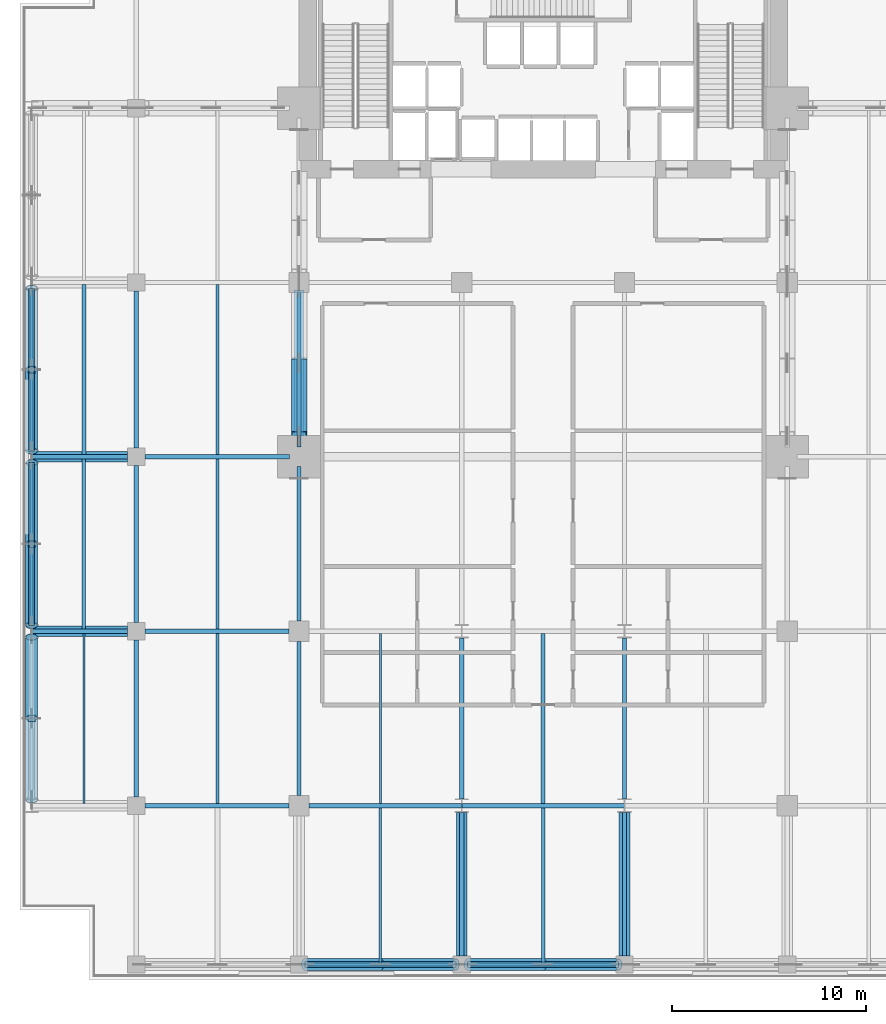
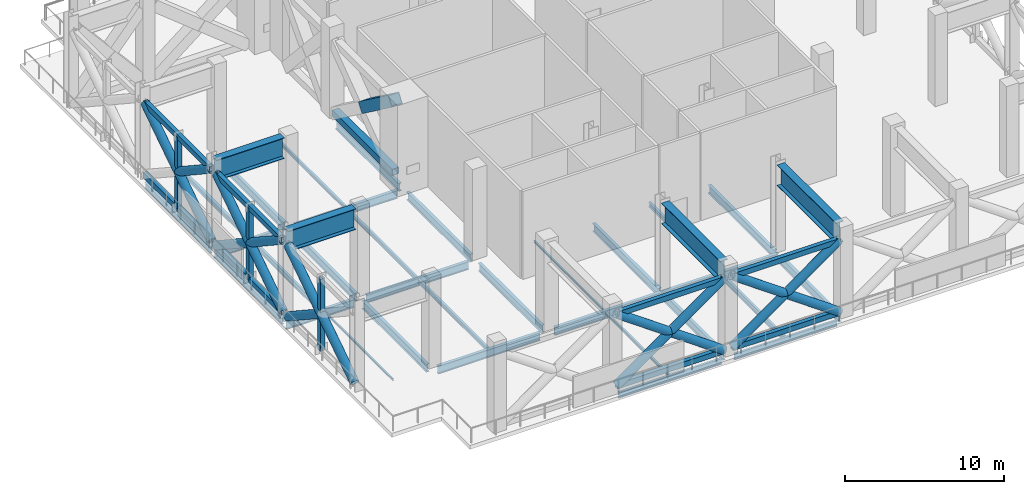
# One storey, part 2 of 16: 35 beams, 26 members.
"""IFC4 building model written with IfcOpenShell, lengths in metres."""

from ifc_helpers import new_model, si_unit, direction, frame, origin, origin_2d, place, context, subcontext, project, spatial, hollow_rectangle, hollow_circle, i_section, extrude, material, material_profile, profile_set, type_object, element, save


model = new_model("IFC4")

# Units and contexts
model_context = context("Model", 3, precision=1e-05, world=origin(), true_north=direction((0.0, 1.0)))
body_context = subcontext(model_context, "Body", "Model", "MODEL_VIEW")
ifc_project = project(units=[si_unit("LENGTHUNIT", "METRE"), si_unit("AREAUNIT", "SQUARE_METRE"), si_unit("VOLUMEUNIT", "CUBIC_METRE"), si_unit("PLANEANGLEUNIT", "RADIAN"), si_unit("MASSUNIT", "GRAM", prefix="KILO")], contexts=[model_context])

# Site, building, storey
site_placement = place(None, origin())
site = spatial("IfcSite", under=ifc_project, at=site_placement, CompositionType="ELEMENT")
building_placement = place(site_placement, origin())
building = spatial("IfcBuilding", under=site, at=building_placement, Name="Maruvema Waterfront Hotel and Observation Tower", CompositionType="ELEMENT")
storey_placement = place(building_placement, frame((0.0, 0.0, 115.5)))
storey = spatial("IfcBuildingStorey", under=building, at=storey_placement, Name="L28", CompositionType="ELEMENT", Elevation=115.5)

# Members
ifc_material_1 = material(Name="Steel ABNT NBR 7007 AR 415 (ASTM A572 Grade 50)", Category="steel")
ifc_material_profile_1 = material_profile(ifc_material_1, hollow_rectangle(XDim=0.5, YDim=0.5, WallThickness=0.028076171875, at=origin_2d()), Name="SHS500x500x28.0")
ifc_profile_set_1 = profile_set([ifc_material_profile_1], Name="Steel ABNT NBR 7007 AR 415 (ASTM A572 Grade 50)")
member_type_1 = type_object("IfcMemberType", Name="Outrigger Truss Chord SHS500x500x28.0", PredefinedType="CHORD", material=ifc_profile_set_1)
member_1_placement = place(storey_placement, frame((25.199951171875, 28.080078125, 0.25), z_axis=(0.0, 1.0, 0.0), x_axis=(-1.0, 0.0, 0.0)))
element("IfcMember", 1, at=member_1_placement, inside=storey, type_object=member_type_1, Name="L28 Outrigger Truss Bottom Chord W1", PredefinedType="CHORD", context=body_context, shape_type="SweptSolid", body=[
    extrude(hollow_rectangle(XDim=0.5, YDim=0.5, WallThickness=0.028076171875, at=origin_2d()), origin(), (0.0, 0.0, 1.0), 7.52001953125),
])
ifc_material_2 = material(Name="Steel ABNT NBR 7007 AR 415 (ASTM A572 Grade 50)", Category="steel")
ifc_material_profile_2 = material_profile(ifc_material_2, hollow_rectangle(XDim=0.800048828125, YDim=0.800048828125, WallThickness=0.044921875, at=origin_2d()), Name="SHS800x800x45.0")
ifc_profile_set_2 = profile_set([ifc_material_profile_2], Name="Steel ABNT NBR 7007 AR 415 (ASTM A572 Grade 50)")
member_type_2 = type_object("IfcMemberType", Name="Outrigger Truss Diagonal SHS800x800x45.0", PredefinedType="BRACE", material=ifc_profile_set_2)
member_2_placement = place(storey_placement, frame((25.199951171875, 31.823974609375, 3.02685546875), z_axis=(0.0, -0.805619301905, 0.592433574671), x_axis=(1.0, 0.0, 0.0)))
element("IfcMember", 2, at=member_2_placement, inside=storey, type_object=member_type_2, Name="L28 Outrigger Truss Diagonal W1 Split Upper B2", PredefinedType="BRACE", context=body_context, shape_type="SweptSolid", body=[
    extrude(hollow_rectangle(XDim=0.800048828125, YDim=0.800048828125, WallThickness=0.044921875, at=origin_2d()), origin(), (0.0, 0.0, 1.0), 4.647216796875),
])
ifc_material_3 = material(Name="Steel ABNT NBR 7007 AR 415 (ASTM A572 Grade 50)", Category="steel")
ifc_material_profile_3 = material_profile(ifc_material_3, hollow_rectangle(XDim=0.300048828125, YDim=0.39990234375, WallThickness=0.02001953125, at=origin_2d()), Name="RHS400x300x20.0")
ifc_profile_set_3 = profile_set([ifc_material_profile_3], Name="Steel ABNT NBR 7007 AR 415 (ASTM A572 Grade 50)")
member_type_3 = type_object("IfcMemberType", Name="Perimeter Belt Truss Chord RHS400x300x20.0", PredefinedType="CHORD", material=ifc_profile_set_3)
for number, where, z_axis, x_axis, name in (
    (3, (11.39990234375, 18.300048828125, 0.25), (0.0, 1.0, 0.0), (-1.0, 0.0, 0.0), "L28 Perimeter Belt Truss Chord W2"),
    (4, (11.39990234375, 18.300048828125, 5.780029296875), (0.0, 1.0, 0.0), (-1.0, 0.0, 0.0), "L28 Perimeter Belt Truss Top Chord W2"),
    (5, (11.39990234375, 27.300048828125, 0.25), (0.0, 1.0, 0.0), (-1.0, 0.0, 0.0), "L28 Perimeter Belt Truss Chord W3"),
    (6, (11.39990234375, 27.300048828125, 5.780029296875), (0.0, 1.0, 0.0), (-1.0, 0.0, 0.0), "L28 Perimeter Belt Truss Top Chord W3"),
):
    element("IfcMember", number, at=place(storey_placement, frame(where, z_axis=z_axis, x_axis=x_axis)), inside=storey, type_object=member_type_3, Name=name, PredefinedType="CHORD", context=body_context, shape_type="SweptSolid", body=[
        extrude(hollow_rectangle(XDim=0.300048828125, YDim=0.39990234375, WallThickness=0.02001953125, at=origin_2d()), origin(), (0.0, 0.0, 1.0), 8.39990234375),
    ])
for number, where, z_axis, x_axis, name in (
    (7, (25.5, 0.800048828125, 0.25), (1.0, 0.0, 0.0), (0.0, 1.0, 0.0), "L28 South Perimeter Belt Truss Chord 2"),
    (8, (25.5, 0.800048828125, 5.780029296875), (1.0, 0.0, 0.0), (0.0, 1.0, 0.0), "L28 South Perimeter Belt Truss Top Chord 2"),
    (9, (33.89990234375, 0.800048828125, 0.25), (1.0, 0.0, 0.0), (0.0, 1.0, 0.0), "L28 South Perimeter Belt Truss Chord 3"),
    (10, (33.89990234375, 0.800048828125, 5.780029296875), (1.0, 0.0, 0.0), (0.0, 1.0, 0.0), "L28 South Perimeter Belt Truss Top Chord 3"),
):
    element("IfcMember", number, at=place(storey_placement, frame(where, z_axis=z_axis, x_axis=x_axis)), inside=storey, type_object=member_type_3, Name=name, PredefinedType="CHORD", context=body_context, shape_type="SweptSolid", body=[
        extrude(hollow_rectangle(XDim=0.300048828125, YDim=0.39990234375, WallThickness=0.02001953125, at=origin_2d()), origin(), (0.0, 0.0, 1.0), 7.800048828125),
    ])
ifc_material_4 = material(Name="Steel ABNT NBR 7007 AR 350 (ASTM A572 Grade 50)", Category="steel")
ifc_material_profile_4 = material_profile(ifc_material_4, hollow_circle(Radius=0.304931640625, WallThickness=0.02490234375, at=origin_2d()), Name="CHS610.0x25.0")
ifc_profile_set_4 = profile_set([ifc_material_profile_4], Name="Steel ABNT NBR 7007 AR 350 (ASTM A572 Grade 50)")
member_type_4 = type_object("IfcMemberType", Name="Perimeter Belt Truss Diagonal CHS610.0x25.0", PredefinedType="BRACE", material=ifc_profile_set_4)
member_3_placement = place(storey_placement, frame((11.39990234375, 9.300048828125, 0.25), z_axis=(0.0, 0.835244562072, 0.549878642547), x_axis=(-1.0, 0.0, 0.0)))
element("IfcMember", 11, at=member_3_placement, inside=storey, type_object=member_type_4, Name="L28 Perimeter Belt Truss Diagonal W1 Continuous A", PredefinedType="BRACE", context=body_context, shape_type="SweptSolid", body=[
    extrude(hollow_circle(Radius=0.304931640625, WallThickness=0.02490234375, at=origin_2d()), origin(), (0.0, 0.0, 1.0), 10.056884765625),
])
member_4_placement = place(storey_placement, frame((11.39990234375, 17.699951171875, 0.25), z_axis=(0.0, -0.835260962729, 0.549853729769), x_axis=(1.0, 0.0, 0.0)))
element("IfcMember", 12, at=member_4_placement, inside=storey, type_object=member_type_4, Name="L28 Perimeter Belt Truss Diagonal W1 Split Lower B1", PredefinedType="BRACE", context=body_context, shape_type="SweptSolid", body=[
    extrude(hollow_circle(Radius=0.304931640625, WallThickness=0.02490234375, at=origin_2d()), origin(), (0.0, 0.0, 1.0), 5.008544921875),
])
member_5_placement = place(storey_placement, frame((11.39990234375, 18.300048828125, 0.25), z_axis=(0.0, 0.835244562072, 0.549878642547), x_axis=(-1.0, 0.0, 0.0)))
element("IfcMember", 13, at=member_5_placement, inside=storey, type_object=member_type_4, Name="L28 Perimeter Belt Truss Diagonal W2 Continuous A", PredefinedType="BRACE", context=body_context, shape_type="SweptSolid", body=[
    extrude(hollow_circle(Radius=0.304931640625, WallThickness=0.02490234375, at=origin_2d()), origin(), (0.0, 0.0, 1.0), 10.056884765625),
])
for number, where, z_axis, x_axis, name in (
    (14, (11.39990234375, 26.699951171875, 0.25), (0.0, -0.835260962729, 0.549853729769), (1.0, 0.0, 0.0), "L28 Perimeter Belt Truss Diagonal W2 Split Lower B1"),
    (15, (11.39990234375, 22.4833984375, 3.02587890625), (0.0, -0.835238575042, 0.549887736507), (1.0, 0.0, 0.0), "L28 Perimeter Belt Truss Diagonal W2 Split Upper B2"),
):
    element("IfcMember", number, at=place(storey_placement, frame(where, z_axis=z_axis, x_axis=x_axis)), inside=storey, type_object=member_type_4, Name=name, PredefinedType="BRACE", context=body_context, shape_type="SweptSolid", body=[
        extrude(hollow_circle(Radius=0.304931640625, WallThickness=0.02490234375, at=origin_2d()), origin(), (0.0, 0.0, 1.0), 5.008544921875),
    ])
member_6_placement = place(storey_placement, frame((11.39990234375, 27.300048828125, 0.25), z_axis=(0.0, 0.835244562072, 0.549878642547), x_axis=(-1.0, 0.0, 0.0)))
element("IfcMember", 16, at=member_6_placement, inside=storey, type_object=member_type_4, Name="L28 Perimeter Belt Truss Diagonal W3 Continuous A", PredefinedType="BRACE", context=body_context, shape_type="SweptSolid", body=[
    extrude(hollow_circle(Radius=0.304931640625, WallThickness=0.02490234375, at=origin_2d()), origin(), (0.0, 0.0, 1.0), 10.056884765625),
])
member_7_placement = place(storey_placement, frame((11.39990234375, 31.4833984375, 3.02587890625), z_axis=(0.0, -0.835238575042, 0.549887736507), x_axis=(1.0, 0.0, 0.0)))
element("IfcMember", 17, at=member_7_placement, inside=storey, type_object=member_type_4, Name="L28 Perimeter Belt Truss Diagonal W3 Split Upper B2", PredefinedType="BRACE", context=body_context, shape_type="SweptSolid", body=[
    extrude(hollow_circle(Radius=0.304931640625, WallThickness=0.02490234375, at=origin_2d()), origin(), (0.0, 0.0, 1.0), 5.008544921875),
])
member_8_placement = place(storey_placement, frame((25.5, 0.800048828125, 0.25), z_axis=(0.815778013583, 0.0, 0.578365137741), x_axis=(0.0, 1.0, 0.0)))
element("IfcMember", 18, at=member_8_placement, inside=storey, type_object=member_type_4, Name="L28 South Perimeter Belt Truss Diagonal 2 Continuous A", PredefinedType="BRACE", context=body_context, shape_type="SweptSolid", body=[
    extrude(hollow_circle(Radius=0.304931640625, WallThickness=0.02490234375, at=origin_2d()), origin(), (0.0, 0.0, 1.0), 9.5615234375),
])
for number, where, z_axis, x_axis, name in (
    (19, (33.300048828125, 0.800048828125, 0.25), (-0.815786560576, 0.0, 0.578353082108), (0.0, -1.0, 0.0), "L28 South Perimeter Belt Truss Diagonal 2 Split Lower B1"),
    (20, (29.3837890625, 0.800048828125, 3.026611328125), (-0.815786560576, 0.0, 0.578353082108), (0.0, -1.0, 0.0), "L28 South Perimeter Belt Truss Diagonal 2 Split Upper B2"),
):
    element("IfcMember", number, at=place(storey_placement, frame(where, z_axis=z_axis, x_axis=x_axis)), inside=storey, type_object=member_type_4, Name=name, PredefinedType="BRACE", context=body_context, shape_type="SweptSolid", body=[
        extrude(hollow_circle(Radius=0.304931640625, WallThickness=0.02490234375, at=origin_2d()), origin(), (0.0, 0.0, 1.0), 4.7607421875),
    ])
member_9_placement = place(storey_placement, frame((33.89990234375, 0.800048828125, 0.25), z_axis=(0.815778013583, 0.0, 0.578365137741), x_axis=(0.0, 1.0, 0.0)))
element("IfcMember", 21, at=member_9_placement, inside=storey, type_object=member_type_4, Name="L28 South Perimeter Belt Truss Diagonal 3 Continuous A", PredefinedType="BRACE", context=body_context, shape_type="SweptSolid", body=[
    extrude(hollow_circle(Radius=0.304931640625, WallThickness=0.02490234375, at=origin_2d()), origin(), (0.0, 0.0, 1.0), 9.5615234375),
])
member_10_placement = place(storey_placement, frame((41.699951171875, 0.800048828125, 0.25), z_axis=(-0.815769406223, 0.0, 0.578377278141), x_axis=(0.0, -1.0, 0.0)))
element("IfcMember", 22, at=member_10_placement, inside=storey, type_object=member_type_4, Name="L28 South Perimeter Belt Truss Diagonal 3 Split Lower B1", PredefinedType="BRACE", context=body_context, shape_type="SweptSolid", body=[
    extrude(hollow_circle(Radius=0.304931640625, WallThickness=0.02490234375, at=origin_2d()), origin(), (0.0, 0.0, 1.0), 4.760498046875),
])
member_11_placement = place(storey_placement, frame((37.78369140625, 0.800048828125, 3.026611328125), z_axis=(-0.815786560576, 0.0, 0.578353082108), x_axis=(0.0, -1.0, 0.0)))
element("IfcMember", 23, at=member_11_placement, inside=storey, type_object=member_type_4, Name="L28 South Perimeter Belt Truss Diagonal 3 Split Upper B2", PredefinedType="BRACE", context=body_context, shape_type="SweptSolid", body=[
    extrude(hollow_circle(Radius=0.304931640625, WallThickness=0.02490234375, at=origin_2d()), origin(), (0.0, 0.0, 1.0), 4.7607421875),
])
ifc_material_5 = material(Name="Steel ABNT NBR 7007 AR 415 (ASTM A572 Grade 50)", Category="steel")
ifc_material_profile_5 = material_profile(ifc_material_5, hollow_rectangle(XDim=0.35009765625, YDim=0.35009765625, WallThickness=0.02001953125, at=origin_2d()), Name="SHS350x350x20.0")
ifc_profile_set_5 = profile_set([ifc_material_profile_5], Name="Steel ABNT NBR 7007 AR 415 (ASTM A572 Grade 50)")
member_type_5 = type_object("IfcMemberType", Name="Perimeter Belt Truss Post SHS350x350x20.0", PredefinedType="POST", material=ifc_profile_set_5)
for number, where, z_axis, x_axis, name in (
    (24, (11.39990234375, 13.5, 0.25), (0.0, 0.0, 1.0), (1.0, 0.0, 0.0), "L28 Perimeter Belt Truss Post W1"),
    (25, (11.39990234375, 22.5, 0.25), (0.0, 0.0, 1.0), (1.0, 0.0, 0.0), "L28 Perimeter Belt Truss Post W2"),
    (26, (11.39990234375, 31.5, 0.25), (0.0, 0.0, 1.0), (1.0, 0.0, 0.0), "L28 Perimeter Belt Truss Post W3"),
):
    element("IfcMember", number, at=place(storey_placement, frame(where, z_axis=z_axis, x_axis=x_axis)), inside=storey, type_object=member_type_5, Name=name, PredefinedType="POST", context=body_context, shape_type="SweptSolid", body=[
        extrude(hollow_rectangle(XDim=0.35009765625, YDim=0.35009765625, WallThickness=0.02001953125, at=origin_2d()), origin(), (0.0, 0.0, 1.0), 5.530029296875),
    ])

# Beams
ifc_material_6 = material(Name="Steel ASTM A572 Grade 50", Category="steel")
ifc_material_profile_6 = material_profile(ifc_material_6, i_section(OverallWidth=0.153076171875, OverallDepth=0.455078125, WebThickness=0.008056640625, FlangeThickness=0.01318359375, FilletRadius=0.014892578125, at=origin_2d()), Name="W460x60.0")
ifc_profile_set_6 = profile_set([ifc_material_profile_6], Name="Steel ASTM A572 Grade 50")
beam_type_1 = type_object("IfcBeamType", Name="Perimeter Spandrel Beam W460x60.0", PredefinedType="SPANDREL", material=ifc_profile_set_6)
for number, where, z_axis, x_axis, name in (
    (27, (25.64990234375, 0.800048828125, -0.527587890625), (1.0, 0.0, 0.0), (0.0, 1.0, 0.0), "L28 Floor Girder EW-02"),
    (28, (34.050048828125, 0.800048828125, -0.527587890625), (1.0, 0.0, 0.0), (0.0, 1.0, 0.0), "L28 Floor Girder EW-03"),
):
    element("IfcBeam", number, at=place(storey_placement, frame(where, z_axis=z_axis, x_axis=x_axis)), inside=storey, type_object=beam_type_1, Name=name, PredefinedType="SPANDREL", context=body_context, shape_type="SweptSolid", body=[
        extrude(i_section(OverallWidth=0.153076171875, OverallDepth=0.455078125, WebThickness=0.008056640625, FlangeThickness=0.01318359375, FilletRadius=0.014892578125, at=origin_2d()), origin(), (0.0, 0.0, 1.0), 7.5),
    ])
for number, where, z_axis, x_axis, name in (
    (29, (11.39990234375, 18.35009765625, -0.527587890625), (0.0, 1.0, 0.0), (-1.0, 0.0, 0.0), "L28 Floor Girder NS-02"),
    (30, (11.39990234375, 27.35009765625, -0.527587890625), (0.0, 1.0, 0.0), (-1.0, 0.0, 0.0), "L28 Floor Girder NS-03"),
):
    element("IfcBeam", number, at=place(storey_placement, frame(where, z_axis=z_axis, x_axis=x_axis)), inside=storey, type_object=beam_type_1, Name=name, PredefinedType="SPANDREL", context=body_context, shape_type="SweptSolid", body=[
        extrude(i_section(OverallWidth=0.153076171875, OverallDepth=0.455078125, WebThickness=0.008056640625, FlangeThickness=0.01318359375, FilletRadius=0.014892578125, at=origin_2d()), origin(), (0.0, 0.0, 1.0), 8.2998046875),
    ])
ifc_material_7 = material(Name="Steel ASTM A572 Grade 50", Category="steel")
ifc_material_profile_7 = material_profile(ifc_material_7, i_section(OverallWidth=0.22900390625, OverallDepth=0.612060546875, WebThickness=0.011962890625, FlangeThickness=0.01953125, FilletRadius=0.01806640625, at=origin_2d()), Name="W610x125.0")
ifc_profile_set_7 = profile_set([ifc_material_profile_7], Name="Steel ASTM A572 Grade 50")
beam_type_2 = type_object("IfcBeamType", Name="Primary Floor Girder W610x125.0", PredefinedType="BEAM", material=ifc_profile_set_7)
beam_1_placement = place(storey_placement, frame((17.25, 9.0, -0.60595703125), z_axis=(1.0, 0.0, 0.0), x_axis=(0.0, 1.0, 0.0)))
element("IfcBeam", 31, at=beam_1_placement, inside=storey, type_object=beam_type_2, Name="L28 Floor Girder EW-07", PredefinedType="BEAM", context=body_context, shape_type="SweptSolid", body=[
    extrude(i_section(OverallWidth=0.22900390625, OverallDepth=0.612060546875, WebThickness=0.011962890625, FlangeThickness=0.01953125, FilletRadius=0.01806640625, at=origin_2d()), origin(), (0.0, 0.0, 1.0), 7.425048828125),
])
beam_2_placement = place(storey_placement, frame((25.72509765625, 9.0, -0.60595703125), z_axis=(1.0, 0.0, 0.0), x_axis=(0.0, 1.0, 0.0)))
element("IfcBeam", 32, at=beam_2_placement, inside=storey, type_object=beam_type_2, Name="L28 Floor Girder EW-08", PredefinedType="BEAM", context=body_context, shape_type="SweptSolid", body=[
    extrude(i_section(OverallWidth=0.22900390625, OverallDepth=0.612060546875, WebThickness=0.011962890625, FlangeThickness=0.01953125, FilletRadius=0.01806640625, at=origin_2d()), origin(), (0.0, 0.0, 1.0), 7.86083984375),
])
beam_3_placement = place(storey_placement, frame((33.614013671875, 9.0, -0.60595703125), z_axis=(1.0, 0.0, 0.0), x_axis=(0.0, 1.0, 0.0)))
element("IfcBeam", 33, at=beam_3_placement, inside=storey, type_object=beam_type_2, Name="L28 Floor Girder EW-09", PredefinedType="BEAM", context=body_context, shape_type="SweptSolid", body=[
    extrude(i_section(OverallWidth=0.22900390625, OverallDepth=0.612060546875, WebThickness=0.011962890625, FlangeThickness=0.01953125, FilletRadius=0.01806640625, at=origin_2d()), origin(), (0.0, 0.0, 1.0), 8.3720703125),
])
beam_4_placement = place(storey_placement, frame((11.4140625, 18.0, -0.60595703125), z_axis=(1.0, 0.0, 0.0), x_axis=(0.0, 1.0, 0.0)))
element("IfcBeam", 34, at=beam_4_placement, inside=storey, type_object=beam_type_2, Name="L28 Floor Girder EW-13", PredefinedType="BEAM", context=body_context, shape_type="SweptSolid", body=[
    extrude(i_section(OverallWidth=0.22900390625, OverallDepth=0.612060546875, WebThickness=0.011962890625, FlangeThickness=0.01953125, FilletRadius=0.01806640625, at=origin_2d()), origin(), (0.0, 0.0, 1.0), 4.93603515625),
])
beam_5_placement = place(storey_placement, frame((17.25, 18.0, -0.60595703125), z_axis=(1.0, 0.0, 0.0), x_axis=(0.0, 1.0, 0.0)))
element("IfcBeam", 35, at=beam_5_placement, inside=storey, type_object=beam_type_2, Name="L28 Floor Girder EW-14", PredefinedType="BEAM", context=body_context, shape_type="SweptSolid", body=[
    extrude(i_section(OverallWidth=0.22900390625, OverallDepth=0.612060546875, WebThickness=0.011962890625, FlangeThickness=0.01953125, FilletRadius=0.01806640625, at=origin_2d()), origin(), (0.0, 0.0, 1.0), 7.425048828125),
])
beam_6_placement = place(storey_placement, frame((11.4140625, 27.0, -0.60595703125), z_axis=(1.0, 0.0, 0.0), x_axis=(0.0, 1.0, 0.0)))
element("IfcBeam", 36, at=beam_6_placement, inside=storey, type_object=beam_type_2, Name="L28 Floor Girder EW-20", PredefinedType="BEAM", context=body_context, shape_type="SweptSolid", body=[
    extrude(i_section(OverallWidth=0.22900390625, OverallDepth=0.612060546875, WebThickness=0.011962890625, FlangeThickness=0.01953125, FilletRadius=0.01806640625, at=origin_2d()), origin(), (0.0, 0.0, 1.0), 4.93603515625),
])
beam_7_placement = place(storey_placement, frame((17.25, 27.0, -0.60595703125), z_axis=(1.0, 0.0, 0.0), x_axis=(0.0, 1.0, 0.0)))
element("IfcBeam", 37, at=beam_7_placement, inside=storey, type_object=beam_type_2, Name="L28 Floor Girder EW-21", PredefinedType="BEAM", context=body_context, shape_type="SweptSolid", body=[
    extrude(i_section(OverallWidth=0.22900390625, OverallDepth=0.612060546875, WebThickness=0.011962890625, FlangeThickness=0.01953125, FilletRadius=0.01806640625, at=origin_2d()), origin(), (0.0, 0.0, 1.0), 7.449951171875),
])
for number, where, z_axis, x_axis, name in (
    (38, (16.800048828125, 9.449951171875, -0.60595703125), (0.0, 1.0, 0.0), (-1.0, 0.0, 0.0), "L28 Floor Girder NS-06"),
    (39, (16.800048828125, 18.449951171875, -0.60595703125), (0.0, 1.0, 0.0), (-1.0, 0.0, 0.0), "L28 Floor Girder NS-07"),
    (40, (16.800048828125, 27.449951171875, -0.60595703125), (0.0, 1.0, 0.0), (-1.0, 0.0, 0.0), "L28 Floor Girder NS-08"),
):
    element("IfcBeam", number, at=place(storey_placement, frame(where, z_axis=z_axis, x_axis=x_axis)), inside=storey, type_object=beam_type_2, Name=name, PredefinedType="BEAM", context=body_context, shape_type="SweptSolid", body=[
        extrude(i_section(OverallWidth=0.22900390625, OverallDepth=0.612060546875, WebThickness=0.011962890625, FlangeThickness=0.01953125, FilletRadius=0.01806640625, at=origin_2d()), origin(), (0.0, 0.0, 1.0), 8.10009765625),
    ])
beam_8_placement = place(storey_placement, frame((25.199951171875, 9.52490234375, -0.60595703125), z_axis=(0.0, 1.0, 0.0), x_axis=(-1.0, 0.0, 0.0)))
element("IfcBeam", 41, at=beam_8_placement, inside=storey, type_object=beam_type_2, Name="L28 Floor Girder NS-12", PredefinedType="BEAM", context=body_context, shape_type="SweptSolid", body=[
    extrude(i_section(OverallWidth=0.22900390625, OverallDepth=0.612060546875, WebThickness=0.011962890625, FlangeThickness=0.01953125, FilletRadius=0.01806640625, at=origin_2d()), origin(), (0.0, 0.0, 1.0), 7.9501953125),
])
for number, where, z_axis, x_axis, name in (
    (42, (25.199951171875, 18.52490234375, -0.60595703125), (0.0, 1.0, 0.0), (-1.0, 0.0, 0.0), "L28 Floor Girder NS-13"),
    (43, (25.199951171875, 27.5, -0.60595703125), (0.0, 1.0, 0.0), (-1.0, 0.0, 0.0), "L28 Floor Girder NS-14"),
):
    element("IfcBeam", number, at=place(storey_placement, frame(where, z_axis=z_axis, x_axis=x_axis)), inside=storey, type_object=beam_type_2, Name=name, PredefinedType="BEAM", context=body_context, shape_type="SweptSolid", body=[
        extrude(i_section(OverallWidth=0.22900390625, OverallDepth=0.612060546875, WebThickness=0.011962890625, FlangeThickness=0.01953125, FilletRadius=0.01806640625, at=origin_2d()), origin(), (0.0, 0.0, 1.0), 7.97509765625),
    ])
beam_9_placement = place(storey_placement, frame((33.60009765625, 1.25, -0.60595703125), z_axis=(0.0, 1.0, 0.0), x_axis=(-1.0, 0.0, 0.0)))
element("IfcBeam", 44, at=beam_9_placement, inside=storey, type_object=beam_type_2, Name="L28 Floor Girder NS-16", PredefinedType="BEAM", context=body_context, shape_type="SweptSolid", body=[
    extrude(i_section(OverallWidth=0.22900390625, OverallDepth=0.612060546875, WebThickness=0.011962890625, FlangeThickness=0.01953125, FilletRadius=0.01806640625, at=origin_2d()), origin(), (0.0, 0.0, 1.0), 7.39990234375),
])
beam_10_placement = place(storey_placement, frame((33.60009765625, 9.35009765625, -0.60595703125), z_axis=(0.0, 1.0, 0.0), x_axis=(-1.0, 0.0, 0.0)))
element("IfcBeam", 45, at=beam_10_placement, inside=storey, type_object=beam_type_2, Name="L28 Floor Girder NS-17", PredefinedType="BEAM", context=body_context, shape_type="SweptSolid", body=[
    extrude(i_section(OverallWidth=0.22900390625, OverallDepth=0.612060546875, WebThickness=0.011962890625, FlangeThickness=0.01953125, FilletRadius=0.01806640625, at=origin_2d()), origin(), (0.0, 0.0, 1.0), 8.2998046875),
])
beam_11_placement = place(storey_placement, frame((42.0, 1.25, -0.60595703125), z_axis=(0.0, 1.0, 0.0), x_axis=(-1.0, 0.0, 0.0)))
element("IfcBeam", 46, at=beam_11_placement, inside=storey, type_object=beam_type_2, Name="L28 Floor Girder NS-19", PredefinedType="BEAM", context=body_context, shape_type="SweptSolid", body=[
    extrude(i_section(OverallWidth=0.22900390625, OverallDepth=0.612060546875, WebThickness=0.011962890625, FlangeThickness=0.01953125, FilletRadius=0.01806640625, at=origin_2d()), origin(), (0.0, 0.0, 1.0), 7.39990234375),
])
beam_12_placement = place(storey_placement, frame((42.0, 9.35009765625, -0.60595703125), z_axis=(0.0, 1.0, 0.0), x_axis=(-1.0, 0.0, 0.0)))
element("IfcBeam", 47, at=beam_12_placement, inside=storey, type_object=beam_type_2, Name="L28 Floor Girder NS-20", PredefinedType="BEAM", context=body_context, shape_type="SweptSolid", body=[
    extrude(i_section(OverallWidth=0.22900390625, OverallDepth=0.612060546875, WebThickness=0.011962890625, FlangeThickness=0.01953125, FilletRadius=0.01806640625, at=origin_2d()), origin(), (0.0, 0.0, 1.0), 8.2998046875),
])
ifc_material_8 = material(Name="Steel ASTM A572 Grade 50", Category="steel")
ifc_material_profile_8 = material_profile(ifc_material_8, i_section(OverallWidth=0.10009765625, OverallDepth=0.153076171875, WebThickness=0.005859375, FlangeThickness=0.007080078125, FilletRadius=0.008056640625, at=origin_2d()), Name="W150x18.0")
ifc_profile_set_8 = profile_set([ifc_material_profile_8], Name="Steel ASTM A572 Grade 50")
beam_type_3 = type_object("IfcBeamType", Name="Secondary Floor Joist W150x18.0", PredefinedType="JOIST", material=ifc_profile_set_8)
for number, where, z_axis, x_axis, name in (
    (48, (14.10009765625, 9.114501953125, -0.37646484375), (0.0, 1.0, 0.0), (-1.0, 0.0, 0.0), "L28 Secondary Floor Joist JS-01"),
    (49, (29.39990234375, 9.114501953125, -0.37646484375), (0.0, 1.0, 0.0), (-1.0, 0.0, 0.0), "L28 Secondary Floor Joist JS-11"),
):
    element("IfcBeam", number, at=place(storey_placement, frame(where, z_axis=z_axis, x_axis=x_axis)), inside=storey, type_object=beam_type_3, Name=name, PredefinedType="JOIST", context=body_context, shape_type="SweptSolid", body=[
        extrude(i_section(OverallWidth=0.10009765625, OverallDepth=0.153076171875, WebThickness=0.005859375, FlangeThickness=0.007080078125, FilletRadius=0.008056640625, at=origin_2d()), origin(), (0.0, 0.0, 1.0), 8.77099609375),
    ])
ifc_material_9 = material(Name="Steel ASTM A572 Grade 50", Category="steel")
ifc_material_profile_9 = material_profile(ifc_material_9, i_section(OverallWidth=0.133056640625, OverallDepth=0.20703125, WebThickness=0.005859375, FlangeThickness=0.00830078125, FilletRadius=0.010009765625, at=origin_2d()), Name="W200x26.6")
ifc_profile_set_9 = profile_set([ifc_material_profile_9], Name="Steel ASTM A572 Grade 50")
beam_type_4 = type_object("IfcBeamType", Name="Secondary Floor Joist W200x26.6", PredefinedType="JOIST", material=ifc_profile_set_9)
beam_13_placement = place(storey_placement, frame((29.39990234375, 0.87646484375, -0.403564453125), z_axis=(0.0, 1.0, 0.0), x_axis=(-1.0, 0.0, 0.0)))
element("IfcBeam", 50, at=beam_13_placement, inside=storey, type_object=beam_type_4, Name="L28 Secondary Floor Joist JS-10", PredefinedType="JOIST", context=body_context, shape_type="SweptSolid", body=[
    extrude(i_section(OverallWidth=0.133056640625, OverallDepth=0.20703125, WebThickness=0.005859375, FlangeThickness=0.00830078125, FilletRadius=0.010009765625, at=origin_2d()), origin(), (0.0, 0.0, 1.0), 8.009033203125),
])
ifc_material_10 = material(Name="Steel ASTM A572 Grade 50", Category="steel")
ifc_material_profile_10 = material_profile(ifc_material_10, i_section(OverallWidth=0.14794921875, OverallDepth=0.26611328125, WebThickness=0.007568359375, FlangeThickness=0.012939453125, FilletRadius=0.012939453125, at=origin_2d()), Name="W250x44.8")
ifc_profile_set_10 = profile_set([ifc_material_profile_10], Name="Steel ASTM A572 Grade 50")
beam_type_5 = type_object("IfcBeamType", Name="Secondary Floor Joist W250x44.8", PredefinedType="JOIST", material=ifc_profile_set_10)
beam_14_placement = place(storey_placement, frame((21.0, 27.114501953125, -0.43310546875), z_axis=(0.0, 1.0, 0.0), x_axis=(-1.0, 0.0, 0.0)))
element("IfcBeam", 51, at=beam_14_placement, inside=storey, type_object=beam_type_5, Name="L28 Secondary Floor Joist JS-08", PredefinedType="JOIST", context=body_context, shape_type="SweptSolid", body=[
    extrude(i_section(OverallWidth=0.14794921875, OverallDepth=0.26611328125, WebThickness=0.007568359375, FlangeThickness=0.012939453125, FilletRadius=0.012939453125, at=origin_2d()), origin(), (0.0, 0.0, 1.0), 8.77099609375),
])
ifc_material_11 = material(Name="Steel ASTM A572 Grade 50", Category="steel")
ifc_material_profile_11 = material_profile(ifc_material_11, i_section(OverallWidth=0.1650390625, OverallDepth=0.31005859375, WebThickness=0.005859375, FlangeThickness=0.009765625, FilletRadius=0.012939453125, at=origin_2d()), Name="W310x38.7")
ifc_profile_set_11 = profile_set([ifc_material_profile_11], Name="Steel ASTM A572 Grade 50")
beam_type_6 = type_object("IfcBeamType", Name="Secondary Floor Joist W310x38.7", PredefinedType="JOIST", material=ifc_profile_set_11)
beam_15_placement = place(storey_placement, frame((21.0, 18.114501953125, -0.455078125), z_axis=(0.0, 1.0, 0.0), x_axis=(-1.0, 0.0, 0.0)))
element("IfcBeam", 52, at=beam_15_placement, inside=storey, type_object=beam_type_6, Name="L28 Secondary Floor Joist JS-07", PredefinedType="JOIST", context=body_context, shape_type="SweptSolid", body=[
    extrude(i_section(OverallWidth=0.1650390625, OverallDepth=0.31005859375, WebThickness=0.005859375, FlangeThickness=0.009765625, FilletRadius=0.012939453125, at=origin_2d()), origin(), (0.0, 0.0, 1.0), 8.77099609375),
])
ifc_material_12 = material(Name="Steel ASTM A572 Grade 50", Category="steel")
ifc_material_profile_12 = material_profile(ifc_material_12, i_section(OverallWidth=0.1669921875, OverallDepth=0.31689453125, WebThickness=0.007568359375, FlangeThickness=0.01318359375, FilletRadius=0.012939453125, at=origin_2d()), Name="W310x52.0")
ifc_profile_set_12 = profile_set([ifc_material_profile_12], Name="Steel ASTM A572 Grade 50")
beam_type_7 = type_object("IfcBeamType", Name="Secondary Floor Joist W310x52.0", PredefinedType="JOIST", material=ifc_profile_set_12)
beam_16_placement = place(storey_placement, frame((21.0, 9.114501953125, -0.45849609375), z_axis=(0.0, 1.0, 0.0), x_axis=(-1.0, 0.0, 0.0)))
element("IfcBeam", 53, at=beam_16_placement, inside=storey, type_object=beam_type_7, Name="L28 Secondary Floor Joist JS-06", PredefinedType="JOIST", context=body_context, shape_type="SweptSolid", body=[
    extrude(i_section(OverallWidth=0.1669921875, OverallDepth=0.31689453125, WebThickness=0.007568359375, FlangeThickness=0.01318359375, FilletRadius=0.012939453125, at=origin_2d()), origin(), (0.0, 0.0, 1.0), 8.77099609375),
])
ifc_material_13 = material(Name="Steel ASTM A572 Grade 50", Category="steel")
ifc_material_profile_13 = material_profile(ifc_material_13, i_section(OverallWidth=0.202880859375, OverallDepth=0.346923828125, WebThickness=0.0078125, FlangeThickness=0.013427734375, FilletRadius=0.014892578125, at=origin_2d()), Name="W360x64.0")
ifc_profile_set_13 = profile_set([ifc_material_profile_13], Name="Steel ASTM A572 Grade 50")
beam_type_8 = type_object("IfcBeamType", Name="Secondary Floor Joist W360x64.0", PredefinedType="JOIST", material=ifc_profile_set_13)
for number, where, z_axis, x_axis, name in (
    (54, (14.10009765625, 27.114501953125, -0.473388671875), (0.0, 1.0, 0.0), (-1.0, 0.0, 0.0), "L28 Secondary Floor Joist JS-03"),
    (55, (37.800048828125, 9.114501953125, -0.473388671875), (0.0, 1.0, 0.0), (-1.0, 0.0, 0.0), "L28 Secondary Floor Joist JS-13"),
):
    element("IfcBeam", number, at=place(storey_placement, frame(where, z_axis=z_axis, x_axis=x_axis)), inside=storey, type_object=beam_type_8, Name=name, PredefinedType="JOIST", context=body_context, shape_type="SweptSolid", body=[
        extrude(i_section(OverallWidth=0.202880859375, OverallDepth=0.346923828125, WebThickness=0.0078125, FlangeThickness=0.013427734375, FilletRadius=0.014892578125, at=origin_2d()), origin(), (0.0, 0.0, 1.0), 8.77099609375),
    ])
ifc_material_14 = material(Name="Steel ASTM A572 Grade 50", Category="steel")
ifc_material_profile_14 = material_profile(ifc_material_14, i_section(OverallWidth=0.177001953125, OverallDepth=0.403076171875, WebThickness=0.007568359375, FlangeThickness=0.010986328125, FilletRadius=0.014892578125, at=origin_2d()), Name="W410x53.0")
ifc_profile_set_14 = profile_set([ifc_material_profile_14], Name="Steel ASTM A572 Grade 50")
beam_type_9 = type_object("IfcBeamType", Name="Secondary Floor Joist W410x53.0", PredefinedType="JOIST", material=ifc_profile_set_14)
beam_17_placement = place(storey_placement, frame((14.10009765625, 18.114501953125, -0.50146484375), z_axis=(0.0, 1.0, 0.0), x_axis=(-1.0, 0.0, 0.0)))
element("IfcBeam", 56, at=beam_17_placement, inside=storey, type_object=beam_type_9, Name="L28 Secondary Floor Joist JS-02", PredefinedType="JOIST", context=body_context, shape_type="SweptSolid", body=[
    extrude(i_section(OverallWidth=0.177001953125, OverallDepth=0.403076171875, WebThickness=0.007568359375, FlangeThickness=0.010986328125, FilletRadius=0.014892578125, at=origin_2d()), origin(), (0.0, 0.0, 1.0), 8.77099609375),
])
beam_18_placement = place(storey_placement, frame((37.800048828125, 0.87646484375, -0.50146484375), z_axis=(0.0, 1.0, 0.0), x_axis=(-1.0, 0.0, 0.0)))
element("IfcBeam", 57, at=beam_18_placement, inside=storey, type_object=beam_type_9, Name="L28 Secondary Floor Joist JS-12", PredefinedType="JOIST", context=body_context, shape_type="SweptSolid", body=[
    extrude(i_section(OverallWidth=0.177001953125, OverallDepth=0.403076171875, WebThickness=0.007568359375, FlangeThickness=0.010986328125, FilletRadius=0.014892578125, at=origin_2d()), origin(), (0.0, 0.0, 1.0), 8.009033203125),
])
ifc_material_15 = material(Name="Steel ABNT NBR 7007 AR 415 (ASTM A572 Grade 50)", Category="steel")
ifc_material_profile_15 = material_profile(ifc_material_15, i_section(OverallWidth=0.550048828125, OverallDepth=1.60009765625, WebThickness=0.02197265625, FlangeThickness=0.0400390625, at=origin_2d()), Name="VS1600x548")
ifc_profile_set_15 = profile_set([ifc_material_profile_15], Name="Steel ABNT NBR 7007 AR 415 (ASTM A572 Grade 50)")
beam_type_10 = type_object("IfcBeamType", Name="Setback Transfer Girder VS1600x548", PredefinedType="USERDEFINED", material=ifc_profile_set_15)
for number, where, z_axis, x_axis, name in (
    (58, (11.4140625, 18.0, 5.9599609375), (1.0, 0.0, 0.0), (0.0, 1.0, 0.0), "L28 Setback Transfer Girder W Y=18.0m"),
    (59, (11.4140625, 27.0, 5.9599609375), (1.0, 0.0, 0.0), (0.0, 1.0, 0.0), "L28 Setback Transfer Girder W Y=27.0m"),
):
    element("IfcBeam", number, at=place(storey_placement, frame(where, z_axis=z_axis, x_axis=x_axis)), inside=storey, type_object=beam_type_10, Name=name, ObjectType="TRANSFER GIRDER", PredefinedType="USERDEFINED", context=body_context, shape_type="SweptSolid", body=[
        extrude(i_section(OverallWidth=0.550048828125, OverallDepth=1.60009765625, WebThickness=0.02197265625, FlangeThickness=0.0400390625, at=origin_2d()), origin(), (0.0, 0.0, 1.0), 4.93603515625),
    ])
for number, where, z_axis, x_axis, name in (
    (60, (33.60009765625, 1.25, 5.9599609375), (0.0, 1.0, 0.0), (-1.0, 0.0, 0.0), "L28 South Setback Transfer Girder X=33.6m"),
    (61, (42.0, 1.25, 5.9599609375), (0.0, 1.0, 0.0), (-1.0, 0.0, 0.0), "L28 South Setback Transfer Girder X=42.0m"),
):
    element("IfcBeam", number, at=place(storey_placement, frame(where, z_axis=z_axis, x_axis=x_axis)), inside=storey, type_object=beam_type_10, Name=name, ObjectType="TRANSFER GIRDER", PredefinedType="USERDEFINED", context=body_context, shape_type="SweptSolid", body=[
        extrude(i_section(OverallWidth=0.550048828125, OverallDepth=1.60009765625, WebThickness=0.02197265625, FlangeThickness=0.0400390625, at=origin_2d()), origin(), (0.0, 0.0, 1.0), 7.39990234375),
    ])

save(model, "model.ifc")
